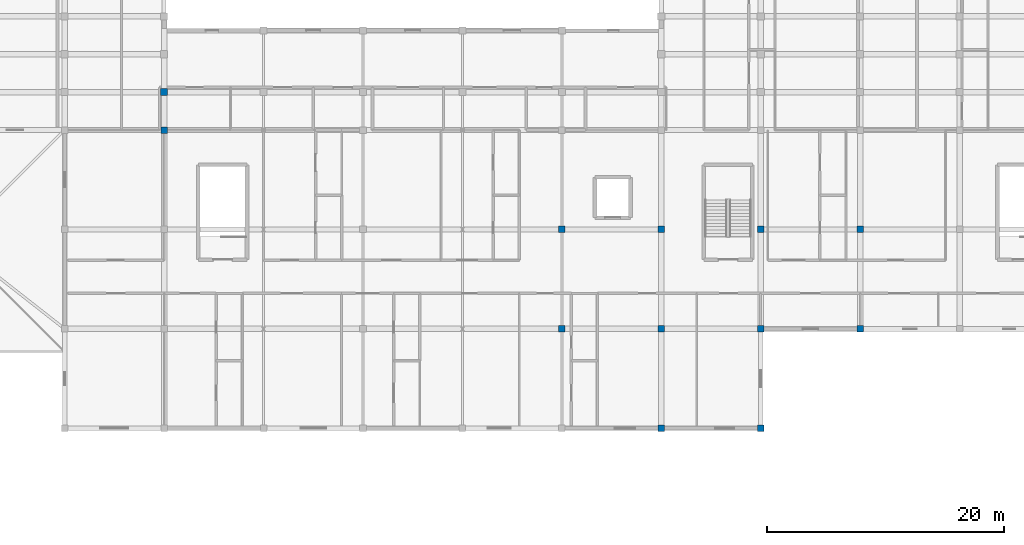
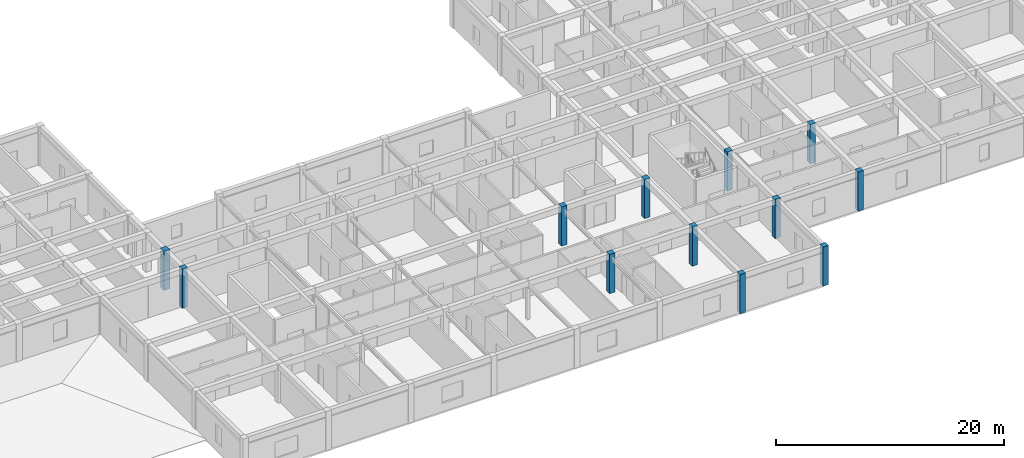
# One storey, part 3 of 42: 12 columns.
"""IFC4 building model written with IfcOpenShell, lengths in metres."""

from ifc_helpers import new_model, si_unit, direction, frame, origin, origin_2d, place, context, subcontext, project, spatial, rectangle, extrude, material, material_profile, profile_set, type_object, element, save


model = new_model("IFC4")

# Units and contexts
model_context = context("Model", 3, precision=1e-05, world=origin(), true_north=direction((0.0, 1.0)))
body_context = subcontext(model_context, "Body", "Model", "MODEL_VIEW")
ifc_project = project(units=[si_unit("LENGTHUNIT", "METRE"), si_unit("AREAUNIT", "SQUARE_METRE"), si_unit("VOLUMEUNIT", "CUBIC_METRE"), si_unit("PLANEANGLEUNIT", "RADIAN"), si_unit("MASSUNIT", "GRAM", prefix="KILO")], contexts=[model_context])

# Site, building, storey
site_placement = place(None, origin())
site = spatial("IfcSite", under=ifc_project, at=site_placement, CompositionType="ELEMENT")
building_placement = place(site_placement, origin())
building = spatial("IfcBuilding", under=site, at=building_placement, Name="Varncliffe General Hospital", CompositionType="ELEMENT")
storey_placement = place(building_placement, frame((0.0, 0.0, 20.39990234375)))
storey = spatial("IfcBuildingStorey", under=building, at=storey_placement, Name="L04", CompositionType="ELEMENT", Elevation=20.39990234375)

# Columns
ifc_material = material(Name="Concrete C40/50 (CSA A23.1 40 MPa)", Category="concrete")
ifc_material_profile_1 = material_profile(ifc_material, rectangle(XDim=0.550048828125, YDim=0.550048828125, at=origin_2d()), Name="RC 550x550")
ifc_profile_set_1 = profile_set([ifc_material_profile_1], Name="Concrete C40/50 (CSA A23.1 40 MPa)")
column_type_1 = type_object("IfcColumnType", Name="Column C26 (Ext RC 550x550)", PredefinedType="COLUMN", material=ifc_profile_set_1)
for number, where, z_axis, x_axis, name in (
    (1, (109.199951171875, 74.39990234375, 0.0), (0.0, 0.0, 1.0), (1.0, 0.0, 0.0), "L04 Column C26"),
    (2, (117.60009765625, 74.39990234375, 0.0), (0.0, 0.0, 1.0), (1.0, 0.0, 0.0), "L04 Column C26"),
    (3, (117.60009765625, 82.800048828125, 0.0), (0.0, 0.0, 1.0), (1.0, 0.0, 0.0), "L04 Column C26"),
    (4, (126.0, 82.800048828125, 0.0), (0.0, 0.0, 1.0), (1.0, 0.0, 0.0), "L04 Column C26"),
):
    element("IfcColumn", number, at=place(storey_placement, frame(where, z_axis=z_axis, x_axis=x_axis)), inside=storey, type_object=column_type_1, Name=name, PredefinedType="COLUMN", context=body_context, shape_type="SweptSolid", body=[
        extrude(rectangle(XDim=0.550048828125, YDim=0.550048828125, at=origin_2d()), origin(), (0.0, 0.0, 1.0), 4.2001953125),
    ])
ifc_material_profile_2 = material_profile(ifc_material, rectangle(XDim=0.60009765625, YDim=0.60009765625, at=origin_2d()), Name="RC 600x600")
ifc_profile_set_2 = profile_set([ifc_material_profile_2], Name="Concrete C40/50 (CSA A23.1 40 MPa)")
column_type_2 = type_object("IfcColumnType", Name="Column C82 (Int RC 600x600)", PredefinedType="COLUMN", material=ifc_profile_set_2)
column_placement = place(storey_placement, frame((67.199951171875, 102.800048828125, 0.0), z_axis=(0.0, 0.0, 1.0), x_axis=(1.0, 0.0, 0.0)))
element("IfcColumn", 5, at=column_placement, inside=storey, type_object=column_type_2, Name="L04 Column C82", PredefinedType="COLUMN", context=body_context, shape_type="SweptSolid", body=[
    extrude(rectangle(XDim=0.60009765625, YDim=0.60009765625, at=origin_2d()), origin(), (0.0, 0.0, 1.0), 4.2001953125),
])
ifc_material_profile_3 = material_profile(ifc_material, rectangle(XDim=0.550048828125, YDim=0.550048828125, at=origin_2d()), Name="RC 550x550")
ifc_profile_set_3 = profile_set([ifc_material_profile_3], Name="Concrete C40/50 (CSA A23.1 40 MPa)")
column_type_3 = type_object("IfcColumnType", Name="Column C85 (Int RC 550x550)", PredefinedType="COLUMN", material=ifc_profile_set_3)
for number, where, z_axis, x_axis, name in (
    (6, (67.199951171875, 99.60009765625, 0.0), (0.0, 0.0, 1.0), (1.0, 0.0, 0.0), "L04 Column C85"),
    (7, (100.800048828125, 82.800048828125, 0.0), (0.0, 0.0, 1.0), (1.0, 0.0, 0.0), "L04 Column C85"),
    (8, (100.800048828125, 91.199951171875, 0.0), (0.0, 0.0, 1.0), (1.0, 0.0, 0.0), "L04 Column C85"),
    (9, (109.199951171875, 82.800048828125, 0.0), (0.0, 0.0, 1.0), (1.0, 0.0, 0.0), "L04 Column C85"),
    (10, (109.199951171875, 91.199951171875, 0.0), (0.0, 0.0, 1.0), (1.0, 0.0, 0.0), "L04 Column C85"),
    (11, (117.60009765625, 91.199951171875, 0.0), (0.0, 0.0, 1.0), (1.0, 0.0, 0.0), "L04 Column C85"),
    (12, (126.0, 91.199951171875, 0.0), (0.0, 0.0, 1.0), (1.0, 0.0, 0.0), "L04 Column C85"),
):
    element("IfcColumn", number, at=place(storey_placement, frame(where, z_axis=z_axis, x_axis=x_axis)), inside=storey, type_object=column_type_3, Name=name, PredefinedType="COLUMN", context=body_context, shape_type="SweptSolid", body=[
        extrude(rectangle(XDim=0.550048828125, YDim=0.550048828125, at=origin_2d()), origin(), (0.0, 0.0, 1.0), 4.2001953125),
    ])

save(model, "model.ifc")
